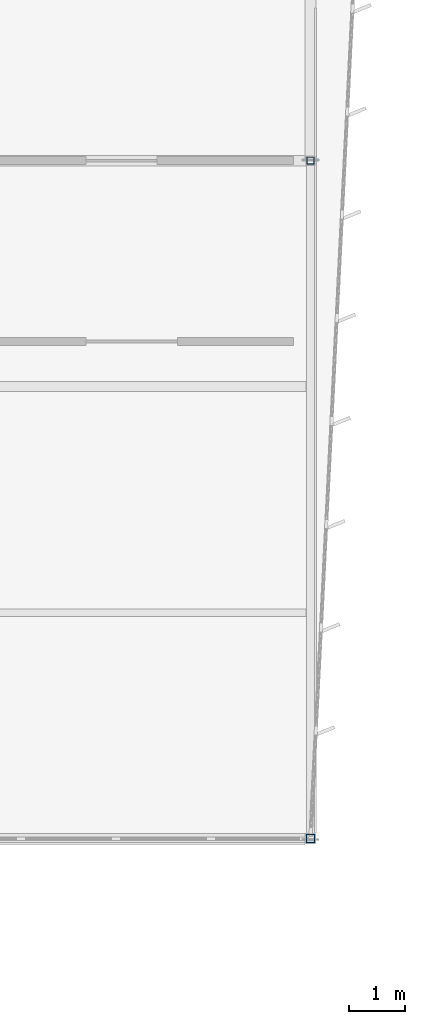
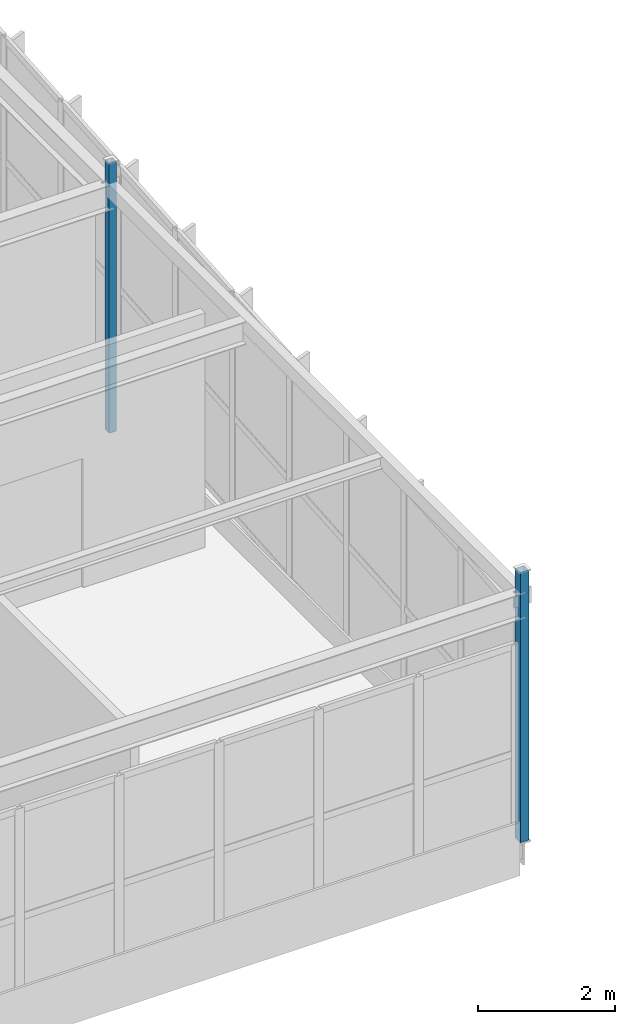
# One storey, part 53 of 186: 2 columns.
"""IFC4 building model written with IfcOpenShell, lengths in metres."""

from ifc_helpers import new_model, si_unit, direction, frame, origin, origin_2d, place, context, subcontext, project, spatial, hollow_rectangle, extrude, material, material_profile, profile_set, type_object, element, save


model = new_model("IFC4")

# Units and contexts
model_context = context("Model", 3, precision=1e-05, world=origin(), true_north=direction((0.0, 1.0)))
body_context = subcontext(model_context, "Body", "Model", "MODEL_VIEW")
ifc_project = project(units=[si_unit("LENGTHUNIT", "METRE"), si_unit("AREAUNIT", "SQUARE_METRE"), si_unit("VOLUMEUNIT", "CUBIC_METRE"), si_unit("PLANEANGLEUNIT", "RADIAN"), si_unit("MASSUNIT", "GRAM", prefix="KILO")], contexts=[model_context])

# Site, building, storey
site_placement = place(None, origin())
site = spatial("IfcSite", under=ifc_project, at=site_placement, CompositionType="ELEMENT")
building_placement = place(site_placement, origin())
building = spatial("IfcBuilding", under=site, at=building_placement, Name="Tarnwether General Hospital", CompositionType="ELEMENT")
storey_placement = place(building_placement, frame((0.0, 0.0, 9.60009765625)))
storey = spatial("IfcBuildingStorey", under=building, at=storey_placement, Name="L02", CompositionType="ELEMENT", Elevation=9.60009765625)

# Columns
ifc_material_1 = material(Name="Steel Grade C350L0 (350 MPa)", Category="steel")
ifc_material_profile_1 = material_profile(ifc_material_1, hollow_rectangle(XDim=0.14990234375, YDim=0.14990234375, WallThickness=0.008056640625, at=origin_2d()), Name="SHS150x150x8")
ifc_profile_set_1 = profile_set([ifc_material_profile_1], Name="Steel Grade C350L0 (350 MPa)")
column_type_1 = type_object("IfcColumnType", Name="COL-33", PredefinedType="COLUMN", material=ifc_profile_set_1)
column_1_placement = place(storey_placement, frame((192.0, 81.60009765625, 0.0), z_axis=(0.0, 0.0, 1.0), x_axis=(1.0, 0.0, 0.0)))
element("IfcColumn", 1, at=column_1_placement, inside=storey, type_object=column_type_1, Name="Column COLG-L02-19200_8160", PredefinedType="COLUMN", context=body_context, shape_type="SweptSolid", body=[
    extrude(hollow_rectangle(XDim=0.14990234375, YDim=0.14990234375, WallThickness=0.008056640625, at=origin_2d()), origin(), (0.0, 0.0, 1.0), 4.7998046875),
])
ifc_material_2 = material(Name="Steel Grade C350L0 (350 MPa)", Category="steel")
ifc_material_profile_2 = material_profile(ifc_material_2, hollow_rectangle(XDim=0.125, YDim=0.125, WallThickness=0.006103515625, at=origin_2d()), Name="SHS125x125x6")
ifc_profile_set_2 = profile_set([ifc_material_profile_2], Name="Steel Grade C350L0 (350 MPa)")
column_type_2 = type_object("IfcColumnType", Name="COL-34", PredefinedType="COLUMN", material=ifc_profile_set_2)
column_2_placement = place(storey_placement, frame((192.0, 93.60009765625, 0.0), z_axis=(0.0, 0.0, 1.0), x_axis=(1.0, 0.0, 0.0)))
element("IfcColumn", 2, at=column_2_placement, inside=storey, type_object=column_type_2, Name="Column COLG-L02-19200_9360", PredefinedType="COLUMN", context=body_context, shape_type="SweptSolid", body=[
    extrude(hollow_rectangle(XDim=0.125, YDim=0.125, WallThickness=0.006103515625, at=origin_2d()), origin(), (0.0, 0.0, 1.0), 4.7998046875),
])

save(model, "model.ifc")
